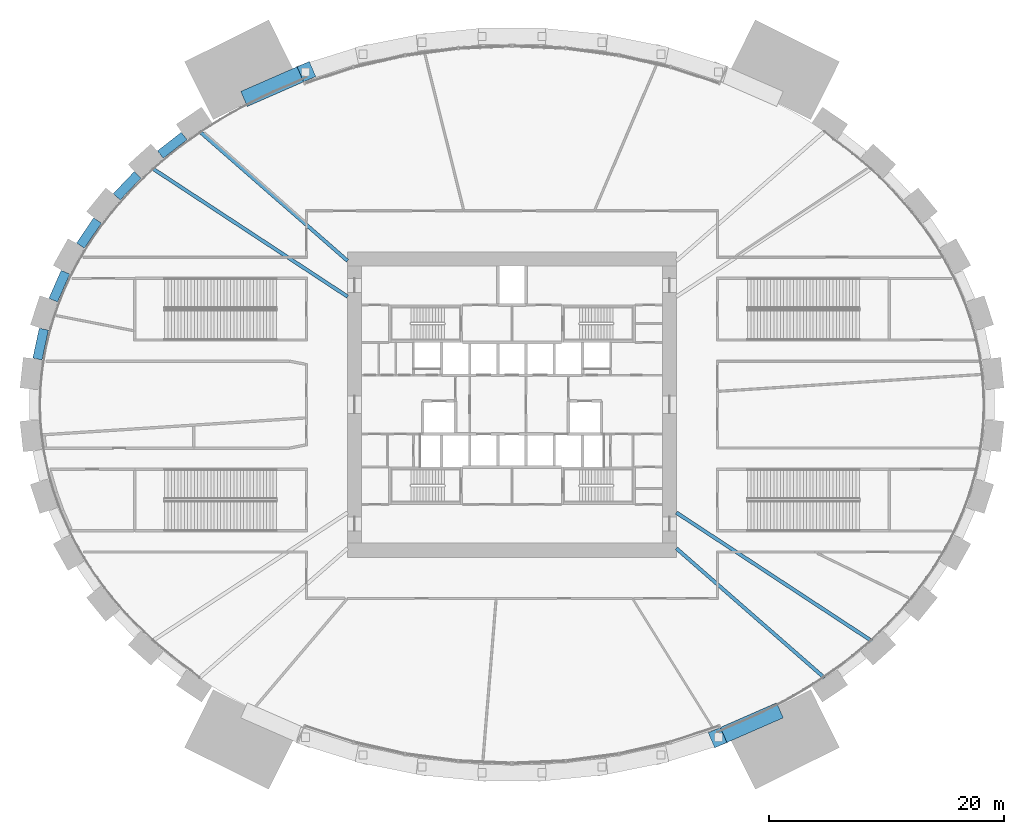
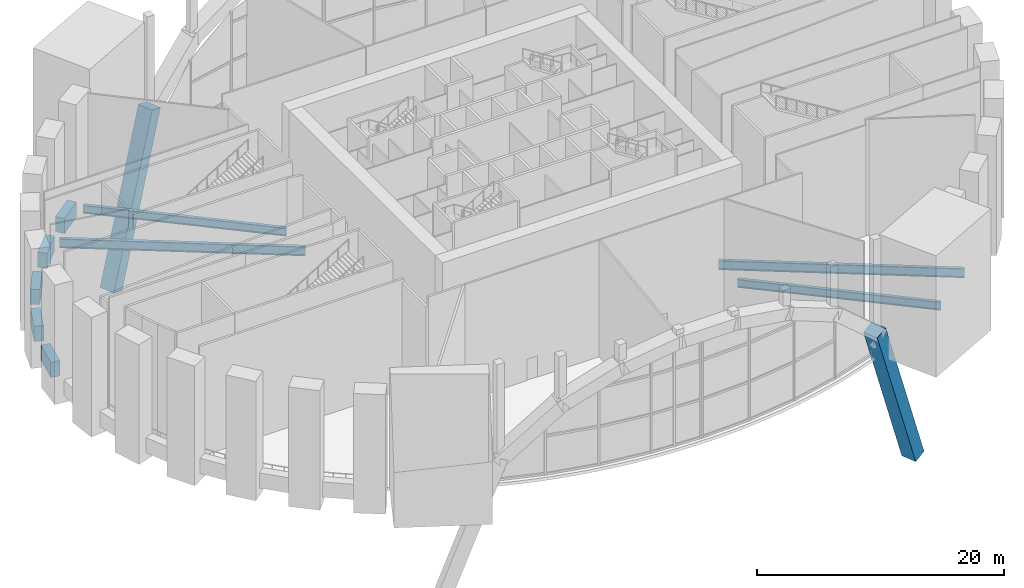
# One storey, part 3 of 21: 9 beams, 2 members.
"""IFC4 building model written with IfcOpenShell, lengths in metres."""

from ifc_helpers import new_model, si_unit, direction, frame, origin, origin_2d, place, context, subcontext, project, spatial, rectangle, i_section, extrude, source, transform, mapped, material, material_profile, profile_set, type_object, element, save


model = new_model("IFC4")

# Units and contexts
model_context = context("Model", 3, precision=1e-05, world=origin(), true_north=direction((0.0, 1.0)))
body_context = subcontext(model_context, "Body", "Model", "MODEL_VIEW")
ifc_project = project(units=[si_unit("LENGTHUNIT", "METRE"), si_unit("AREAUNIT", "SQUARE_METRE"), si_unit("VOLUMEUNIT", "CUBIC_METRE"), si_unit("PLANEANGLEUNIT", "RADIAN"), si_unit("MASSUNIT", "GRAM", prefix="KILO")], contexts=[model_context])

# Site, building, storey
site_placement = place(None, origin())
site = spatial("IfcSite", under=ifc_project, at=site_placement, CompositionType="ELEMENT")
building_placement = place(site_placement, origin())
building = spatial("IfcBuilding", under=site, at=building_placement, Name="Embergate Tower", CompositionType="ELEMENT")
storey_placement = place(building_placement, frame((0.0, 0.0, 12.0)))
storey = spatial("IfcBuildingStorey", under=building, at=storey_placement, Name="L01", CompositionType="ELEMENT", Elevation=12.0)

# Beams
ifc_material_1 = material(Name="Concrete C70", Category="concrete")
ifc_material_profile_1 = material_profile(ifc_material_1, rectangle(XDim=0.800048828125, YDim=1.5, at=origin_2d()), Name="RC 800x1500")
ifc_profile_set_1 = profile_set([ifc_material_profile_1], Name="Concrete C70")
beam_type_1 = type_object("IfcBeamType", Name="Spandrel beam RC 800x1500 C70", PredefinedType="BEAM", material=ifc_profile_set_1)
shared_shape_1 = source(origin(), body_context, "Body", "SweptSolid", [
    extrude(rectangle(XDim=0.800048828125, YDim=1.5, at=origin_2d()), origin(), (0.0, 0.0, 1.0), 2.59716796875),
])
beam_1_placement = place(storey_placement, frame((-39.862060546875, 6.424072265625, 0.0), z_axis=(-0.210196709523, -0.977659114061, 0.0), x_axis=(0.977659114061, -0.210196709523, 0.0)))
element("IfcBeam", 1, at=beam_1_placement, inside=storey, type_object=beam_type_1, Name="SPN-L01-20", PredefinedType="BEAM", context=body_context, shape_type="MappedRepresentation", body=[
    mapped(shared_shape_1, transform((0.0, 0.0, 0.0))),
])
shared_shape_2 = source(origin(), body_context, "Body", "SweptSolid", [
    extrude(rectangle(XDim=0.800048828125, YDim=1.5, at=origin_2d()), origin(), (0.0, 0.0, 1.0), 2.594482421875),
])
beam_2_placement = place(storey_placement, frame((-38.02001953125, 11.27392578125, 0.0), z_axis=(-0.401628265127, -0.915802782618, 0.0), x_axis=(0.915802782618, -0.401628265127, 0.0)))
element("IfcBeam", 2, at=beam_2_placement, inside=storey, type_object=beam_type_1, Name="SPN-L01-19", PredefinedType="BEAM", context=body_context, shape_type="MappedRepresentation", body=[
    mapped(shared_shape_2, transform((0.0, 0.0, 0.0))),
])
shared_shape_3 = source(origin(), body_context, "Body", "SweptSolid", [
    extrude(rectangle(XDim=0.800048828125, YDim=1.5, at=origin_2d()), origin(), (0.0, 0.0, 1.0), 2.583251953125),
])
beam_3_placement = place(storey_placement, frame((-35.291015625, 15.675048828125, 0.0), z_axis=(-0.562418587306, -0.826852666836, 0.0), x_axis=(0.826852666836, -0.562418587306, 0.0)))
element("IfcBeam", 3, at=beam_3_placement, inside=storey, type_object=beam_type_1, Name="SPN-L01-18", PredefinedType="BEAM", context=body_context, shape_type="MappedRepresentation", body=[
    mapped(shared_shape_3, transform((0.0, 0.0, 0.0))),
])
shared_shape_4 = source(origin(), body_context, "Body", "SweptSolid", [
    extrude(rectangle(XDim=0.800048828125, YDim=1.5, at=origin_2d()), origin(), (0.0, 0.0, 1.0), 2.577392578125),
])
beam_4_placement = place(storey_placement, frame((-31.87890625, 19.56298828125, 0.0), z_axis=(-0.68985145899, -0.723950940692, 0.0), x_axis=(0.723950940692, -0.68985145899, 0.0)))
element("IfcBeam", 4, at=beam_4_placement, inside=storey, type_object=beam_type_1, Name="SPN-L01-17", PredefinedType="BEAM", context=body_context, shape_type="MappedRepresentation", body=[
    mapped(shared_shape_4, transform((0.0, 0.0, 0.0))),
])
shared_shape_5 = source(origin(), body_context, "Body", "SweptSolid", [
    extrude(rectangle(XDim=0.800048828125, YDim=1.5, at=origin_2d()), origin(), (0.0, 0.0, 1.0), 2.568359375),
])
beam_5_placement = place(storey_placement, frame((-27.9130859375, 22.873046875, 0.0), z_axis=(-0.788378750505, -0.615190170396, 0.0), x_axis=(0.615190170396, -0.788378750505, 0.0)))
element("IfcBeam", 5, at=beam_5_placement, inside=storey, type_object=beam_type_1, Name="SPN-L01-16", PredefinedType="BEAM", context=body_context, shape_type="MappedRepresentation", body=[
    mapped(shared_shape_5, transform((0.0, 0.0, 0.0))),
])
ifc_material_2 = material(Name="Steel Q355B", Category="steel")
ifc_material_profile_2 = material_profile(ifc_material_2, i_section(OverallWidth=0.300048828125, OverallDepth=0.89990234375, WebThickness=0.01611328125, FlangeThickness=0.028076171875, FilletRadius=0.028076171875, at=origin_2d()), Name="HN 900x300x16x28")
ifc_profile_set_2 = profile_set([ifc_material_profile_2], Name="Steel Q355 grade B")
beam_type_2 = type_object("IfcBeamType", Name="Radial girder HN 900x300x16x28", PredefinedType="BEAM", material=ifc_profile_set_2)
shared_shape_6 = source(origin(), body_context, "Body", "SweptSolid", [
    extrude(i_section(OverallWidth=0.300048828125, OverallDepth=0.89990234375, WebThickness=0.01611328125, FlangeThickness=0.028076171875, FilletRadius=0.028076171875, at=origin_2d()), origin(), (0.0, 0.0, 1.0), 19.915283203125),
])
for number, where, z_axis, x_axis, name in (
    (6, (-30.64404296875, 20.134033203125, -0.75), (0.835739557049, -0.549126026322, 0.0), (0.549126026322, 0.835739557049, 0.0), "GIR-L01-17"),
    (7, (30.64404296875, -20.134033203125, -0.75), (-0.835739557049, 0.549126026322, 0.0), (-0.549126026322, -0.835739557049, 0.0), "GIR-L01-39"),
):
    element("IfcBeam", number, at=place(storey_placement, frame(where, z_axis=z_axis, x_axis=x_axis)), inside=storey, type_object=beam_type_2, Name=name, PredefinedType="BEAM", context=body_context, shape_type="MappedRepresentation", body=[
        mapped(shared_shape_6, transform((0.0, 0.0, 0.0))),
    ])
ifc_material_profile_3 = material_profile(ifc_material_2, i_section(OverallWidth=0.300048828125, OverallDepth=0.800048828125, WebThickness=0.013916015625, FlangeThickness=0.02587890625, FilletRadius=0.028076171875, at=origin_2d()), Name="HN 800x300x14x26")
ifc_profile_set_3 = profile_set([ifc_material_profile_3], Name="Steel Q355 grade B")
beam_type_3 = type_object("IfcBeamType", Name="Radial girder HN 800x300x14x26", PredefinedType="BEAM", material=ifc_profile_set_3)
shared_shape_7 = source(origin(), body_context, "Body", "SweptSolid", [
    extrude(i_section(OverallWidth=0.300048828125, OverallDepth=0.800048828125, WebThickness=0.013916015625, FlangeThickness=0.02587890625, FilletRadius=0.028076171875, at=origin_2d()), origin(), (0.0, 0.0, 1.0), 16.760498046875),
])
for number, where, z_axis, x_axis, name in (
    (8, (-26.616943359375, 23.27587890625, -0.699951171875), (0.752779686922, -0.658272544587, 0.0), (0.658272544587, 0.752779686922, 0.0), "GIR-L01-16"),
    (9, (26.616943359375, -23.27587890625, -0.699951171875), (-0.752779686922, 0.658272544587, 0.0), (-0.658272544587, -0.752779686922, 0.0), "GIR-L01-38"),
):
    element("IfcBeam", number, at=place(storey_placement, frame(where, z_axis=z_axis, x_axis=x_axis)), inside=storey, type_object=beam_type_3, Name=name, PredefinedType="BEAM", context=body_context, shape_type="MappedRepresentation", body=[
        mapped(shared_shape_7, transform((0.0, 0.0, 0.0))),
    ])

# Members
ifc_material_profile_4 = material_profile(ifc_material_1, rectangle(XDim=1.39990234375, YDim=1.199951171875, at=origin_2d()), Name="RC 1400x1200")
ifc_profile_set_4 = profile_set([ifc_material_profile_4], Name="Concrete C70")
member_type = type_object("IfcMemberType", Name="Arch rib RC 1400x1200", PredefinedType="MEMBER", material=ifc_profile_set_4)
shared_shape_8 = source(origin(), body_context, "Body", "SweptSolid", [
    extrude(rectangle(XDim=1.39990234375, YDim=1.199951171875, at=origin_2d()), origin(), (0.0, 0.0, 1.0), 16.034912109375),
])
for number, where, z_axis, x_axis, name in (
    (10, (-17.5, 28.35400390625, 3.156005859375), (-0.299167367821, -0.1308333855, -0.945188611479), (0.400684293132, -0.916216184772, 0.0), "TRF-N-RB08"),
    (11, (17.5, -28.35400390625, 3.156005859375), (0.299167367821, 0.1308333855, -0.945188611479), (-0.400684293132, 0.916216184772, 0.0), "TRF-S-RB08"),
):
    element("IfcMember", number, at=place(storey_placement, frame(where, z_axis=z_axis, x_axis=x_axis)), inside=storey, type_object=member_type, Name=name, PredefinedType="MEMBER", context=body_context, shape_type="MappedRepresentation", body=[
        mapped(shared_shape_8, transform((0.0, 0.0, 0.0))),
    ])

save(model, "model.ifc")
